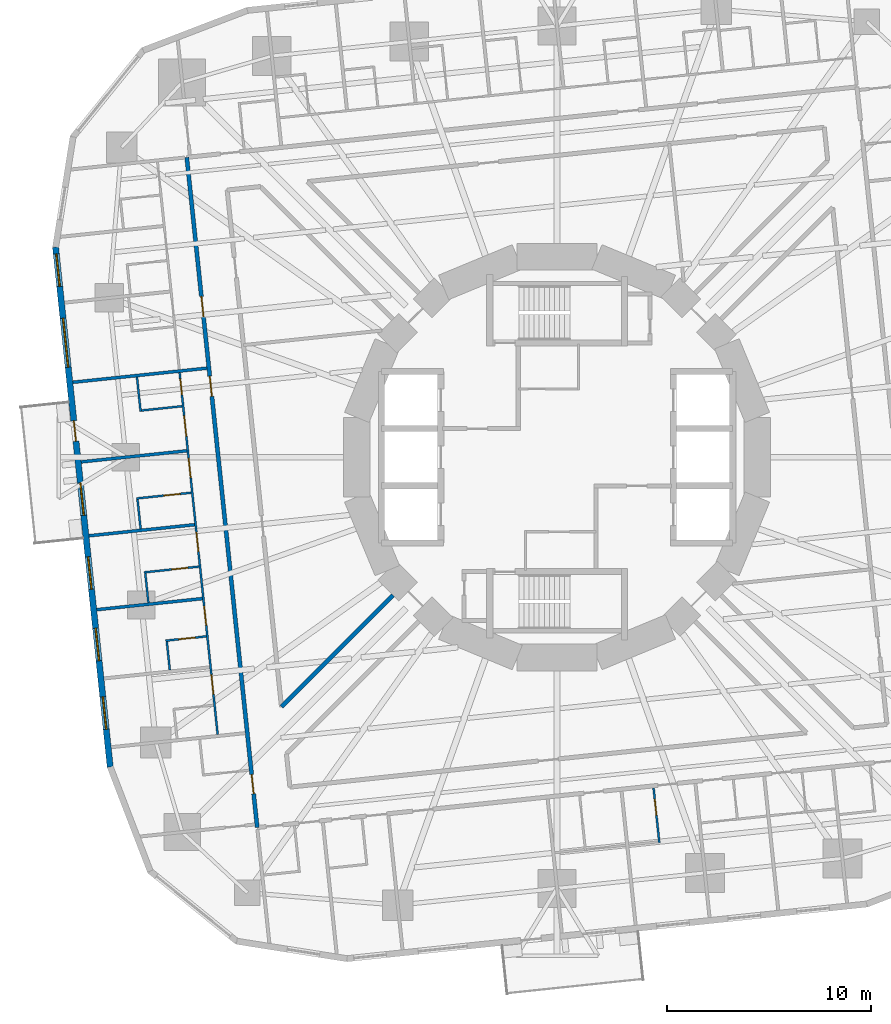
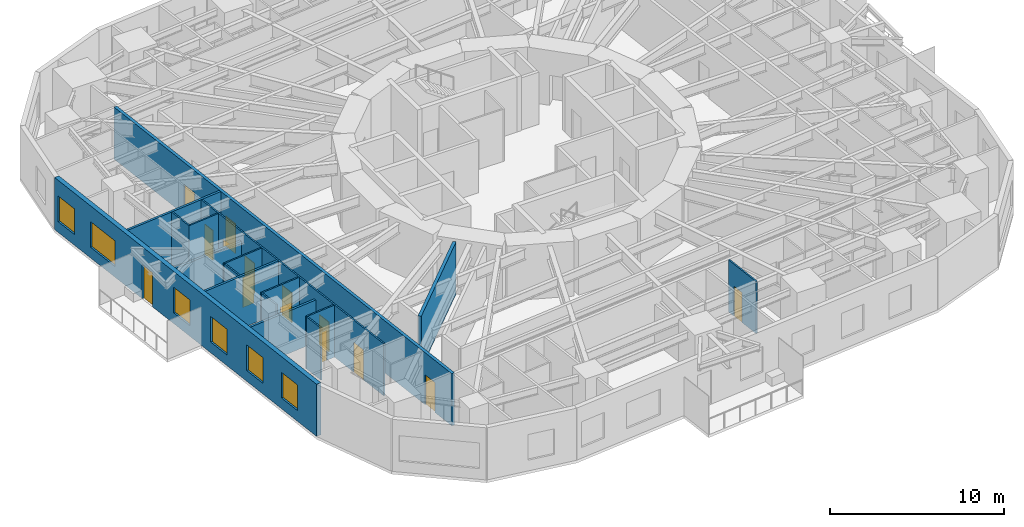
# One storey, part 6 of 15: 17 walls, 14 doors, 6 windows, 20 openings.
"""IFC4 building model written with IfcOpenShell, lengths in metres."""

from ifc_helpers import new_model, si_unit, direction, frame, frame_2d, origin, place, context, subcontext, project, spatial, rectangle, extrude, material, layer, layer_set, type_object, element, fill, save


model = new_model("IFC4")

# Units and contexts
model_context = context("Model", 3, precision=1e-05, world=origin(), true_north=direction((0.0, 1.0)))
body_context = subcontext(model_context, "Body", "Model", "MODEL_VIEW")
ifc_project = project(units=[si_unit("LENGTHUNIT", "METRE"), si_unit("AREAUNIT", "SQUARE_METRE"), si_unit("VOLUMEUNIT", "CUBIC_METRE"), si_unit("PLANEANGLEUNIT", "RADIAN"), si_unit("MASSUNIT", "GRAM", prefix="KILO")], contexts=[model_context])

# Site, building, storey
site_placement = place(None, origin())
site = spatial("IfcSite", under=ifc_project, at=site_placement, CompositionType="ELEMENT")
building_placement = place(site_placement, origin())
building = spatial("IfcBuilding", under=site, at=building_placement, Name="Nakasero Lantern House", CompositionType="ELEMENT")
storey_placement = place(building_placement, frame((0.0, 0.0, 72.050048828125)))
storey = spatial("IfcBuildingStorey", under=building, at=storey_placement, Name="L17", CompositionType="ELEMENT", Elevation=72.050048828125)

# Wall, openings, doors
ifc_material_1 = material(Name="Blockwork", Category="masonry")
ifc_layer_1 = layer(ifc_material_1, 0.10009765625)
ifc_layer_set_1 = layer_set([ifc_layer_1], Name="Cluster hall wall 100")
wall_type_1 = type_object("IfcWallType", Name="Cluster hall wall 100", PredefinedType="PARTITIONING", material=ifc_layer_set_1)
wall_1_placement = place(storey_placement, frame((-18.484375, 4.143798828125, 0.0), z_axis=(0.0, 0.0, 1.0), x_axis=(0.104524313484, -0.994522331519, 0.0)))
wall_1 = element("IfcWall", 1, at=wall_1_placement, inside=storey, type_object=wall_type_1, Name="Cluster hall wall L17 HW2-1", PredefinedType="PARTITIONING", context=body_context, shape_type="SweptSolid", body=[
    extrude(rectangle(XDim=17.8193359375, YDim=0.10009765625, at=frame_2d((8.90966796875, 0.0))), origin(), (0.0, 0.0, 1.0), 3.64990234375),
])
opening_1_placement = place(wall_1_placement, frame((2.125, 0.0, 0.0)))
opening_1 = element("IfcOpeningElement", 2, at=opening_1_placement, cuts=wall_1, Name="Opening D03", PredefinedType="OPENING", context=body_context, shape_type="SweptSolid", body=[
    extrude(rectangle(XDim=1.0, YDim=2.10009765625, at=frame_2d((0.5, 1.050048828125))), frame((0.0, 0.070068359375, 0.0), z_axis=(0.0, -1.0, 0.0), x_axis=(1.0, 0.0, 0.0)), (0.0, 0.0, 1.0), 0.14013671875),
])
opening_2_placement = place(wall_1_placement, frame((0.300048828125, 0.0, 0.0)))
opening_2 = element("IfcOpeningElement", 3, at=opening_2_placement, cuts=wall_1, Name="Opening D02", PredefinedType="OPENING", context=body_context, shape_type="SweptSolid", body=[
    extrude(rectangle(XDim=0.800048828125, YDim=2.10009765625, at=frame_2d((0.39990234375, 1.050048828125))), frame((0.0, 0.070068359375, 0.0), z_axis=(0.0, -1.0, 0.0), x_axis=(1.0, 0.0, 0.0)), (0.0, 0.0, 1.0), 0.14013671875),
])
opening_3_placement = place(wall_1_placement, frame((4.22119140625, 0.0, 0.0)))
opening_3 = element("IfcOpeningElement", 4, at=opening_3_placement, cuts=wall_1, Name="Opening D01", PredefinedType="OPENING", context=body_context, shape_type="SweptSolid", body=[
    extrude(rectangle(XDim=0.949951171875, YDim=2.10009765625, at=frame_2d((0.47509765625, 1.050048828125))), frame((0.0, 0.070068359375, 0.0), z_axis=(0.0, -1.0, 0.0), x_axis=(1.0, 0.0, 0.0)), (0.0, 0.0, 1.0), 0.14013671875),
])
opening_4_placement = place(wall_1_placement, frame((7.859619140625, 0.0, 0.0)))
opening_4 = element("IfcOpeningElement", 5, at=opening_4_placement, cuts=wall_1, Name="Opening D01", PredefinedType="OPENING", context=body_context, shape_type="SweptSolid", body=[
    extrude(rectangle(XDim=0.949951171875, YDim=2.10009765625, at=frame_2d((0.47509765625, 1.050048828125))), frame((0.0, 0.070068359375, 0.0), z_axis=(0.0, -1.0, 0.0), x_axis=(1.0, 0.0, 0.0)), (0.0, 0.0, 1.0), 0.14013671875),
])
opening_5_placement = place(wall_1_placement, frame((11.498291015625, 0.0, 0.0)))
opening_5 = element("IfcOpeningElement", 6, at=opening_5_placement, cuts=wall_1, Name="Opening D01", PredefinedType="OPENING", context=body_context, shape_type="SweptSolid", body=[
    extrude(rectangle(XDim=0.949951171875, YDim=2.10009765625, at=frame_2d((0.47509765625, 1.050048828125))), frame((0.0, 0.070068359375, 0.0), z_axis=(0.0, -1.0, 0.0), x_axis=(1.0, 0.0, 0.0)), (0.0, 0.0, 1.0), 0.14013671875),
])
opening_6_placement = place(wall_1_placement, frame((14.8837890625, 0.0, 0.0)))
opening_6 = element("IfcOpeningElement", 7, at=opening_6_placement, cuts=wall_1, Name="Opening D01", PredefinedType="OPENING", context=body_context, shape_type="SweptSolid", body=[
    extrude(rectangle(XDim=0.949951171875, YDim=2.10009765625, at=frame_2d((0.47509765625, 1.050048828125))), frame((0.0, 0.070068359375, 0.0), z_axis=(0.0, -1.0, 0.0), x_axis=(1.0, 0.0, 0.0)), (0.0, 0.0, 1.0), 0.14013671875),
])
ifc_material_2 = material(Name="Timber C24", Category="wood")
door_type_1 = type_object("IfcDoorType", Name="Bedroom door FD30S 950", OperationType="SINGLE_SWING_LEFT", PredefinedType="DOOR", material=ifc_material_2)
door_1_placement = place(opening_3_placement, origin())
door_1 = element("IfcDoor", 8, at=door_1_placement, inside=storey, type_object=door_type_1, Name="Door L17 D2-04", OperationType="SINGLE_SWING_LEFT", OverallHeight=2.10009765625, OverallWidth=0.949951171875, PredefinedType="DOOR", context=body_context, shape_type="SweptSolid", body=[
    extrude(rectangle(XDim=0.949951171875, YDim=2.10009765625, at=frame_2d((0.47509765625, 1.050048828125))), frame((0.0, 0.02490234375, 0.0), z_axis=(0.0, -1.0, 0.0), x_axis=(1.0, 0.0, 0.0)), (0.0, 0.0, 1.0), 0.050048828125),
])
fill(opening_3, door_1)
door_2_placement = place(opening_4_placement, origin())
door_2 = element("IfcDoor", 9, at=door_2_placement, inside=storey, type_object=door_type_1, Name="Door L17 D2-05", OperationType="SINGLE_SWING_LEFT", OverallHeight=2.10009765625, OverallWidth=0.949951171875, PredefinedType="DOOR", context=body_context, shape_type="SweptSolid", body=[
    extrude(rectangle(XDim=0.949951171875, YDim=2.10009765625, at=frame_2d((0.47509765625, 1.050048828125))), frame((0.0, 0.02490234375, 0.0), z_axis=(0.0, -1.0, 0.0), x_axis=(1.0, 0.0, 0.0)), (0.0, 0.0, 1.0), 0.050048828125),
])
fill(opening_4, door_2)
door_3_placement = place(opening_5_placement, origin())
door_3 = element("IfcDoor", 10, at=door_3_placement, inside=storey, type_object=door_type_1, Name="Door L17 D2-06", OperationType="SINGLE_SWING_RIGHT", OverallHeight=2.10009765625, OverallWidth=0.949951171875, PredefinedType="DOOR", context=body_context, shape_type="SweptSolid", body=[
    extrude(rectangle(XDim=0.949951171875, YDim=2.10009765625, at=frame_2d((0.47509765625, 1.050048828125))), frame((0.0, 0.02490234375, 0.0), z_axis=(0.0, -1.0, 0.0), x_axis=(1.0, 0.0, 0.0)), (0.0, 0.0, 1.0), 0.050048828125),
])
fill(opening_5, door_3)
door_4_placement = place(opening_6_placement, origin())
door_4 = element("IfcDoor", 11, at=door_4_placement, inside=storey, type_object=door_type_1, Name="Door L17 D2-07", OperationType="SINGLE_SWING_RIGHT", OverallHeight=2.10009765625, OverallWidth=0.949951171875, PredefinedType="DOOR", context=body_context, shape_type="SweptSolid", body=[
    extrude(rectangle(XDim=0.949951171875, YDim=2.10009765625, at=frame_2d((0.47509765625, 1.050048828125))), frame((0.0, 0.02490234375, 0.0), z_axis=(0.0, -1.0, 0.0), x_axis=(1.0, 0.0, 0.0)), (0.0, 0.0, 1.0), 0.050048828125),
])
fill(opening_6, door_4)
ifc_material_3 = material(Name="Timber C24", Category="wood")
door_type_2 = type_object("IfcDoorType", Name="En-suite door 800", OperationType="SINGLE_SWING_RIGHT", PredefinedType="DOOR", material=ifc_material_3)
door_5_placement = place(opening_2_placement, origin())
door_5 = element("IfcDoor", 12, at=door_5_placement, inside=storey, type_object=door_type_2, Name="Door L17 DSH2-1", OperationType="SINGLE_SWING_LEFT", OverallHeight=2.10009765625, OverallWidth=0.800048828125, PredefinedType="DOOR", context=body_context, shape_type="SweptSolid", body=[
    extrude(rectangle(XDim=0.800048828125, YDim=2.10009765625, at=frame_2d((0.39990234375, 1.050048828125))), frame((0.0, 0.02490234375, 0.0), z_axis=(0.0, -1.0, 0.0), x_axis=(1.0, 0.0, 0.0)), (0.0, 0.0, 1.0), 0.050048828125),
])
fill(opening_2, door_5)
ifc_material_4 = material(Name="Timber C24", Category="wood")
door_type_3 = type_object("IfcDoorType", Name="Lounge door FD30S 1000", OperationType="SINGLE_SWING_LEFT", PredefinedType="DOOR", material=ifc_material_4)
door_6_placement = place(opening_1_placement, origin())
door_6 = element("IfcDoor", 13, at=door_6_placement, inside=storey, type_object=door_type_3, Name="Door L17 DH2-1", OperationType="SINGLE_SWING_LEFT", OverallHeight=2.10009765625, OverallWidth=1.0, PredefinedType="DOOR", context=body_context, shape_type="SweptSolid", body=[
    extrude(rectangle(XDim=1.0, YDim=2.10009765625, at=frame_2d((0.5, 1.050048828125))), frame((0.0, 0.02490234375, 0.0), z_axis=(0.0, -1.0, 0.0), x_axis=(1.0, 0.0, 0.0)), (0.0, 0.0, 1.0), 0.050048828125),
])
fill(opening_1, door_6)

ifc_material_5 = material(Name="Blockwork", Category="masonry")
ifc_layer_2 = layer(ifc_material_5, 0.199951171875)
ifc_layer_set_2 = layer_set([ifc_layer_2], Name="Corridor wall 200")
wall_type_2 = type_object("IfcWallType", Name="Corridor wall 200", PredefinedType="PARTITIONING", material=ifc_layer_set_2)
wall_2_placement = place(storey_placement, frame((-18.13427734375, 14.684814453125, 0.0), z_axis=(0.0, 0.0, 1.0), x_axis=(0.10452958258, -0.994521777723, 0.0)))
wall_2 = element("IfcWall", 14, at=wall_2_placement, inside=storey, type_object=wall_type_2, Name="Corridor wall L17 CW2", PredefinedType="PARTITIONING", context=body_context, shape_type="SweptSolid", body=[
    extrude(rectangle(XDim=32.999755859375, YDim=0.199951171875, at=frame_2d((16.5, 0.0))), origin(), (0.0, 0.0, 1.0), 3.64990234375),
])
opening_7_placement = place(wall_2_placement, frame((6.8505859375, 0.0, 0.0)))
opening_7 = element("IfcOpeningElement", 15, at=opening_7_placement, cuts=wall_2, Name="Opening D14", PredefinedType="OPENING", context=body_context, shape_type="SweptSolid", body=[
    extrude(rectangle(XDim=1.0, YDim=2.10009765625, at=frame_2d((0.5, 1.050048828125))), frame((0.0, 0.119873046875, 0.0), z_axis=(0.0, -1.0, 0.0), x_axis=(1.0, 0.0, 0.0)), (0.0, 0.0, 1.0), 0.239990234375),
])
opening_8_placement = place(wall_2_placement, frame((10.771728515625, 0.0, 0.0)))
opening_8 = element("IfcOpeningElement", 16, at=opening_8_placement, cuts=wall_2, Name="Opening D14", PredefinedType="OPENING", context=body_context, shape_type="SweptSolid", body=[
    extrude(rectangle(XDim=1.0, YDim=2.10009765625, at=frame_2d((0.5, 1.050048828125))), frame((0.0, 0.119873046875, 0.0), z_axis=(0.0, -1.0, 0.0), x_axis=(1.0, 0.0, 0.0)), (0.0, 0.0, 1.0), 0.239990234375),
])
opening_9_placement = place(wall_2_placement, frame((30.39111328125, 0.0, 0.0)))
opening_9 = element("IfcOpeningElement", 17, at=opening_9_placement, cuts=wall_2, Name="Opening D01", PredefinedType="OPENING", context=body_context, shape_type="SweptSolid", body=[
    extrude(rectangle(XDim=0.949951171875, YDim=2.10009765625, at=frame_2d((0.47509765625, 1.050048828125))), frame((0.0, 0.119873046875, 0.0), z_axis=(0.0, -1.0, 0.0), x_axis=(1.0, 0.0, 0.0)), (0.0, 0.0, 1.0), 0.239990234375),
])
door_7_placement = place(opening_9_placement, origin())
door_7 = element("IfcDoor", 18, at=door_7_placement, inside=storey, type_object=door_type_1, Name="Door L17 D2-08", OperationType="SINGLE_SWING_RIGHT", OverallHeight=2.10009765625, OverallWidth=0.949951171875, PredefinedType="DOOR", context=body_context, shape_type="SweptSolid", body=[
    extrude(rectangle(XDim=0.949951171875, YDim=2.10009765625, at=frame_2d((0.47509765625, 1.050048828125))), frame((0.0, 0.02490234375, 0.0), z_axis=(0.0, -1.0, 0.0), x_axis=(1.0, 0.0, 0.0)), (0.0, 0.0, 1.0), 0.050048828125),
])
fill(opening_9, door_7)
ifc_material_6 = material(Name="Timber C24", Category="wood")
door_type_4 = type_object("IfcDoorType", Name="Cluster entrance door FD30S 1000", OperationType="SINGLE_SWING_LEFT", PredefinedType="DOOR", material=ifc_material_6)
door_8_placement = place(opening_7_placement, origin())
door_8 = element("IfcDoor", 19, at=door_8_placement, inside=storey, type_object=door_type_4, Name="Door L17 DF2-0", OperationType="SINGLE_SWING_LEFT", OverallHeight=2.10009765625, OverallWidth=1.0, PredefinedType="DOOR", context=body_context, shape_type="SweptSolid", body=[
    extrude(rectangle(XDim=1.0, YDim=2.10009765625, at=frame_2d((0.5, 1.050048828125))), frame((0.0, 0.02490234375, 0.0), z_axis=(0.0, -1.0, 0.0), x_axis=(1.0, 0.0, 0.0)), (0.0, 0.0, 1.0), 0.050048828125),
])
fill(opening_7, door_8)
door_9_placement = place(opening_8_placement, origin())
door_9 = element("IfcDoor", 20, at=door_9_placement, inside=storey, type_object=door_type_4, Name="Door L17 DF2-1", OperationType="SINGLE_SWING_LEFT", OverallHeight=2.10009765625, OverallWidth=1.0, PredefinedType="DOOR", context=body_context, shape_type="SweptSolid", body=[
    extrude(rectangle(XDim=1.0, YDim=2.10009765625, at=frame_2d((0.5, 1.050048828125))), frame((0.0, 0.02490234375, 0.0), z_axis=(0.0, -1.0, 0.0), x_axis=(1.0, 0.0, 0.0)), (0.0, 0.0, 1.0), 0.050048828125),
])
fill(opening_8, door_9)

# Walls
wall_3_placement = place(storey_placement, frame((-8.03125, -6.758544921875, 0.0), z_axis=(0.0, 0.0, 1.0), x_axis=(-0.707122575573, -0.707090986447, 0.0)))
element("IfcWall", 21, at=wall_3_placement, inside=storey, type_object=wall_type_2, Name="Corridor wall L17 PS10b", PredefinedType="PARTITIONING", context=body_context, shape_type="SweptSolid", body=[
    extrude(rectangle(XDim=7.728515625, YDim=0.199951171875, at=frame_2d((3.8642578125, 0.0))), origin(), (0.0, 0.0, 1.0), 3.64990234375),
])
ifc_material_7 = material(Name="Blockwork", Category="masonry")
ifc_layer_3 = layer(ifc_material_7, 0.10009765625)
ifc_layer_set_3 = layer_set([ifc_layer_3], Name="En-suite wall 100")
wall_type_3 = type_object("IfcWallType", Name="En-suite wall 100", PredefinedType="PARTITIONING", material=ifc_layer_set_3)
wall_4_placement = place(storey_placement, frame((-18.361572265625, 2.49755859375, 0.0), z_axis=(0.0, 0.0, 1.0), x_axis=(-0.994523910136, -0.104509292252, 0.0)))
element("IfcWall", 22, at=wall_4_placement, inside=storey, type_object=wall_type_3, Name="En-suite wall L17 SS2-1", PredefinedType="PARTITIONING", context=body_context, shape_type="SweptSolid", body=[
    extrude(rectangle(XDim=2.10009765625, YDim=0.10009765625, at=frame_2d((1.050048828125, 0.0))), origin(), (0.0, 0.0, 1.0), 3.64990234375),
])
wall_5_placement = place(storey_placement, frame((-20.572998046875, 3.92431640625, 0.0), z_axis=(0.0, 0.0, 1.0), x_axis=(0.104550220202, -0.994519608382, 0.0)))
element("IfcWall", 23, at=wall_5_placement, inside=storey, type_object=wall_type_3, Name="En-suite wall L17 SE2-1", PredefinedType="PARTITIONING", context=body_context, shape_type="SweptSolid", body=[
    extrude(rectangle(XDim=1.699951171875, YDim=0.10009765625, at=frame_2d((0.85009765625, 0.0))), origin(), (0.0, 0.0, 1.0), 3.64990234375),
])

# Wall, opening, door
wall_6_placement = place(storey_placement, frame((-17.91650390625, -1.73876953125, 0.0), z_axis=(0.0, 0.0, 1.0), x_axis=(-0.994521297289, -0.104534153452, 0.0)))
wall_6 = element("IfcWall", 24, at=wall_6_placement, inside=storey, type_object=wall_type_3, Name="En-suite wall L17 ES2-04", PredefinedType="PARTITIONING", context=body_context, shape_type="SweptSolid", body=[
    extrude(rectangle(XDim=2.699951171875, YDim=0.10009765625, at=frame_2d((1.35009765625, 0.0))), origin(), (0.0, 0.0, 1.0), 3.64990234375),
])
opening_10_placement = place(wall_6_placement, frame((0.550048828125, 0.0, 0.0)))
opening_10 = element("IfcOpeningElement", 25, at=opening_10_placement, cuts=wall_6, Name="Opening D02", PredefinedType="OPENING", context=body_context, shape_type="SweptSolid", body=[
    extrude(rectangle(XDim=0.800048828125, YDim=2.10009765625, at=frame_2d((0.39990234375, 1.050048828125))), frame((0.0, 0.070068359375, 0.0), z_axis=(0.0, -1.0, 0.0), x_axis=(1.0, 0.0, 0.0)), (0.0, 0.0, 1.0), 0.14013671875),
])
door_10_placement = place(opening_10_placement, origin())
door_10 = element("IfcDoor", 26, at=door_10_placement, inside=storey, type_object=door_type_2, Name="Door L17 DE2-04", OperationType="SINGLE_SWING_LEFT", OverallHeight=2.10009765625, OverallWidth=0.800048828125, PredefinedType="DOOR", context=body_context, shape_type="SweptSolid", body=[
    extrude(rectangle(XDim=0.800048828125, YDim=2.10009765625, at=frame_2d((0.39990234375, 1.050048828125))), frame((0.0, 0.02490234375, 0.0), z_axis=(0.0, -1.0, 0.0), x_axis=(1.0, 0.0, 0.0)), (0.0, 0.0, 1.0), 0.050048828125),
])
fill(opening_10, door_10)

# Wall
wall_7_placement = place(storey_placement, frame((-20.546630859375, -2.0654296875, 0.0), z_axis=(0.0, 0.0, 1.0), x_axis=(0.10455332221, -0.994519282274, 0.0)))
element("IfcWall", 27, at=wall_7_placement, inside=storey, type_object=wall_type_3, Name="En-suite wall L17 EE2-04", PredefinedType="PARTITIONING", context=body_context, shape_type="SweptSolid", body=[
    extrude(rectangle(XDim=1.4501953125, YDim=0.10009765625, at=frame_2d((0.72509765625, 0.0))), origin(), (0.0, 0.0, 1.0), 3.64990234375),
])

# Wall, opening, door
wall_8_placement = place(storey_placement, frame((-17.5361328125, -5.357421875, 0.0), z_axis=(0.0, 0.0, 1.0), x_axis=(-0.994521297289, -0.104534153452, 0.0)))
wall_8 = element("IfcWall", 28, at=wall_8_placement, inside=storey, type_object=wall_type_3, Name="En-suite wall L17 ES2-05", PredefinedType="PARTITIONING", context=body_context, shape_type="SweptSolid", body=[
    extrude(rectangle(XDim=2.699951171875, YDim=0.10009765625, at=frame_2d((1.35009765625, 0.0))), origin(), (0.0, 0.0, 1.0), 3.64990234375),
])
opening_11_placement = place(wall_8_placement, frame((0.550048828125, 0.0, 0.0)))
opening_11 = element("IfcOpeningElement", 29, at=opening_11_placement, cuts=wall_8, Name="Opening D02", PredefinedType="OPENING", context=body_context, shape_type="SweptSolid", body=[
    extrude(rectangle(XDim=0.800048828125, YDim=2.10009765625, at=frame_2d((0.39990234375, 1.050048828125))), frame((0.0, 0.070068359375, 0.0), z_axis=(0.0, -1.0, 0.0), x_axis=(1.0, 0.0, 0.0)), (0.0, 0.0, 1.0), 0.14013671875),
])
door_11_placement = place(opening_11_placement, origin())
door_11 = element("IfcDoor", 30, at=door_11_placement, inside=storey, type_object=door_type_2, Name="Door L17 DE2-05", OperationType="SINGLE_SWING_LEFT", OverallHeight=2.10009765625, OverallWidth=0.800048828125, PredefinedType="DOOR", context=body_context, shape_type="SweptSolid", body=[
    extrude(rectangle(XDim=0.800048828125, YDim=2.10009765625, at=frame_2d((0.39990234375, 1.050048828125))), frame((0.0, 0.02490234375, 0.0), z_axis=(0.0, -1.0, 0.0), x_axis=(1.0, 0.0, 0.0)), (0.0, 0.0, 1.0), 0.050048828125),
])
fill(opening_11, door_11)

# Wall
wall_9_placement = place(storey_placement, frame((-20.166259765625, -5.68408203125, 0.0), z_axis=(0.0, 0.0, 1.0), x_axis=(0.10455332221, -0.994519282274, 0.0)))
element("IfcWall", 31, at=wall_9_placement, inside=storey, type_object=wall_type_3, Name="En-suite wall L17 EE2-05", PredefinedType="PARTITIONING", context=body_context, shape_type="SweptSolid", body=[
    extrude(rectangle(XDim=1.4501953125, YDim=0.10009765625, at=frame_2d((0.72509765625, 0.0))), origin(), (0.0, 0.0, 1.0), 3.64990234375),
])

# Wall, opening, door
wall_10_placement = place(storey_placement, frame((-17.177001953125, -8.774169921875, 0.0), z_axis=(0.0, 0.0, 1.0), x_axis=(-0.99452550138, -0.104494148666, 0.0)))
wall_10 = element("IfcWall", 32, at=wall_10_placement, inside=storey, type_object=wall_type_3, Name="En-suite wall L17 ES2-06", PredefinedType="PARTITIONING", context=body_context, shape_type="SweptSolid", body=[
    extrude(rectangle(XDim=2.0, YDim=0.10009765625, at=frame_2d((1.0, 0.0))), origin(), (0.0, 0.0, 1.0), 3.64990234375),
])
opening_12_placement = place(wall_10_placement, frame((0.550048828125, 0.0, 0.0)))
opening_12 = element("IfcOpeningElement", 33, at=opening_12_placement, cuts=wall_10, Name="Opening D02", PredefinedType="OPENING", context=body_context, shape_type="SweptSolid", body=[
    extrude(rectangle(XDim=0.800048828125, YDim=2.10009765625, at=frame_2d((0.39990234375, 1.050048828125))), frame((0.0, 0.070068359375, 0.0), z_axis=(0.0, -1.0, 0.0), x_axis=(1.0, 0.0, 0.0)), (0.0, 0.0, 1.0), 0.14013671875),
])
door_12_placement = place(opening_12_placement, origin())
door_12 = element("IfcDoor", 34, at=door_12_placement, inside=storey, type_object=door_type_2, Name="Door L17 DE2-06", OperationType="SINGLE_SWING_LEFT", OverallHeight=2.10009765625, OverallWidth=0.800048828125, PredefinedType="DOOR", context=body_context, shape_type="SweptSolid", body=[
    extrude(rectangle(XDim=0.800048828125, YDim=2.10009765625, at=frame_2d((0.39990234375, 1.050048828125))), frame((0.0, 0.02490234375, 0.0), z_axis=(0.0, -1.0, 0.0), x_axis=(1.0, 0.0, 0.0)), (0.0, 0.0, 1.0), 0.050048828125),
])
fill(opening_12, door_12)

# Wall
wall_11_placement = place(storey_placement, frame((-19.111083984375, -9.027587890625, 0.0), z_axis=(0.0, 0.0, 1.0), x_axis=(0.104630319263, -0.994511184598, 0.0)))
element("IfcWall", 35, at=wall_11_placement, inside=storey, type_object=wall_type_3, Name="En-suite wall L17 EE2-06", PredefinedType="PARTITIONING", context=body_context, shape_type="SweptSolid", body=[
    extrude(rectangle(XDim=1.39990234375, YDim=0.10009765625, at=frame_2d((0.699951171875, 0.0))), origin(), (0.0, 0.0, 1.0), 3.64990234375),
])

# Wall, opening, door
wall_12_placement = place(storey_placement, frame((4.72509765625, -16.19482421875, 0.0), z_axis=(0.0, 0.0, 1.0), x_axis=(0.104524753323, -0.994522285292, 0.0)))
wall_12 = element("IfcWall", 36, at=wall_12_placement, inside=storey, type_object=wall_type_3, Name="En-suite wall L17 ES3-05", PredefinedType="PARTITIONING", context=body_context, shape_type="SweptSolid", body=[
    extrude(rectangle(XDim=2.7001953125, YDim=0.10009765625, at=frame_2d((1.35009765625, 0.0))), origin(), (0.0, 0.0, 1.0), 3.64990234375),
])
opening_13_placement = place(wall_12_placement, frame((0.550048828125, 0.0, 0.0)))
opening_13 = element("IfcOpeningElement", 37, at=opening_13_placement, cuts=wall_12, Name="Opening D02", PredefinedType="OPENING", context=body_context, shape_type="SweptSolid", body=[
    extrude(rectangle(XDim=0.800048828125, YDim=2.10009765625, at=frame_2d((0.39990234375, 1.050048828125))), frame((0.0, 0.070068359375, 0.0), z_axis=(0.0, -1.0, 0.0), x_axis=(1.0, 0.0, 0.0)), (0.0, 0.0, 1.0), 0.14013671875),
])
door_13_placement = place(opening_13_placement, origin())
door_13 = element("IfcDoor", 38, at=door_13_placement, inside=storey, type_object=door_type_2, Name="Door L17 DE3-05", OperationType="SINGLE_SWING_LEFT", OverallHeight=2.10009765625, OverallWidth=0.800048828125, PredefinedType="DOOR", context=body_context, shape_type="SweptSolid", body=[
    extrude(rectangle(XDim=0.800048828125, YDim=2.10009765625, at=frame_2d((0.39990234375, 1.050048828125))), frame((0.0, 0.02490234375, 0.0), z_axis=(0.0, -1.0, 0.0), x_axis=(1.0, 0.0, 0.0)), (0.0, 0.0, 1.0), 0.050048828125),
])
fill(opening_13, door_13)

# Wall, openings, door, windows
ifc_material_8 = material(Name="Aluminium rainscreen on blockwork", Category="masonry")
ifc_layer_4 = layer(ifc_material_8, 0.300048828125)
ifc_layer_set_4 = layer_set([ifc_layer_4], Name="Facade wall 300")
wall_type_4 = type_object("IfcWallType", Name="Facade wall 300", PredefinedType="SOLIDWALL", material=ifc_layer_set_4)
wall_13_placement = place(storey_placement, frame((-24.56005859375, 10.2890625, 0.0), z_axis=(0.0, 0.0, 1.0), x_axis=(0.104532378096, -0.994521483895, 0.0)))
wall_13 = element("IfcWall", 39, at=wall_13_placement, inside=storey, type_object=wall_type_4, Name="Facade wall L17 FW2S", PredefinedType="SOLIDWALL", context=body_context, shape_type="SweptSolid", body=[
    extrude(rectangle(XDim=25.599853515625, YDim=0.300048828125, at=frame_2d((12.7998046875, 0.0))), origin(), (0.0, 0.0, 1.0), 3.64990234375),
])
opening_14_placement = place(wall_13_placement, frame((0.337890625, 0.0, 0.75)))
opening_14 = element("IfcOpeningElement", 40, at=opening_14_placement, cuts=wall_13, Name="Opening W01", PredefinedType="OPENING", context=body_context, shape_type="SweptSolid", body=[
    extrude(rectangle(XDim=1.60009765625, YDim=1.800048828125, at=frame_2d((0.800048828125, 0.89990234375))), frame((0.0, 0.169921875, 0.0), z_axis=(0.0, -1.0, 0.0), x_axis=(1.0, 0.0, 0.0)), (0.0, 0.0, 1.0), 0.340087890625),
])
opening_15_placement = place(wall_13_placement, frame((11.612060546875, 0.0, 0.75)))
opening_15 = element("IfcOpeningElement", 41, at=opening_15_placement, cuts=wall_13, Name="Opening W01", PredefinedType="OPENING", context=body_context, shape_type="SweptSolid", body=[
    extrude(rectangle(XDim=1.60009765625, YDim=1.800048828125, at=frame_2d((0.800048828125, 0.89990234375))), frame((0.0, 0.169921875, 0.0), z_axis=(0.0, -1.0, 0.0), x_axis=(1.0, 0.0, 0.0)), (0.0, 0.0, 1.0), 0.340087890625),
])
opening_16_placement = place(wall_13_placement, frame((15.250732421875, 0.0, 0.75)))
opening_16 = element("IfcOpeningElement", 42, at=opening_16_placement, cuts=wall_13, Name="Opening W01", PredefinedType="OPENING", context=body_context, shape_type="SweptSolid", body=[
    extrude(rectangle(XDim=1.60009765625, YDim=1.800048828125, at=frame_2d((0.800048828125, 0.89990234375))), frame((0.0, 0.169921875, 0.0), z_axis=(0.0, -1.0, 0.0), x_axis=(1.0, 0.0, 0.0)), (0.0, 0.0, 1.0), 0.340087890625),
])
opening_17_placement = place(wall_13_placement, frame((18.7626953125, 0.0, 0.75)))
opening_17 = element("IfcOpeningElement", 43, at=opening_17_placement, cuts=wall_13, Name="Opening W01", PredefinedType="OPENING", context=body_context, shape_type="SweptSolid", body=[
    extrude(rectangle(XDim=1.60009765625, YDim=1.800048828125, at=frame_2d((0.800048828125, 0.89990234375))), frame((0.0, 0.169921875, 0.0), z_axis=(0.0, -1.0, 0.0), x_axis=(1.0, 0.0, 0.0)), (0.0, 0.0, 1.0), 0.340087890625),
])
opening_18_placement = place(wall_13_placement, frame((22.1484375, 0.0, 0.75)))
opening_18 = element("IfcOpeningElement", 44, at=opening_18_placement, cuts=wall_13, Name="Opening W01", PredefinedType="OPENING", context=body_context, shape_type="SweptSolid", body=[
    extrude(rectangle(XDim=1.60009765625, YDim=1.800048828125, at=frame_2d((0.800048828125, 0.89990234375))), frame((0.0, 0.169921875, 0.0), z_axis=(0.0, -1.0, 0.0), x_axis=(1.0, 0.0, 0.0)), (0.0, 0.0, 1.0), 0.340087890625),
])
opening_19_placement = place(wall_13_placement, frame((3.51123046875, 0.0, 0.75)))
opening_19 = element("IfcOpeningElement", 45, at=opening_19_placement, cuts=wall_13, Name="Opening W03", PredefinedType="OPENING", context=body_context, shape_type="SweptSolid", body=[
    extrude(rectangle(XDim=2.39990234375, YDim=1.800048828125, at=frame_2d((1.199951171875, 0.89990234375))), frame((0.0, 0.169921875, 0.0), z_axis=(0.0, -1.0, 0.0), x_axis=(1.0, 0.0, 0.0)), (0.0, 0.0, 1.0), 0.340087890625),
])
opening_20_placement = place(wall_13_placement, frame((8.558837890625, 0.0, 0.0)))
opening_20 = element("IfcOpeningElement", 46, at=opening_20_placement, cuts=wall_13, Name="Opening D04", PredefinedType="OPENING", context=body_context, shape_type="SweptSolid", body=[
    extrude(rectangle(XDim=1.0, YDim=2.39990234375, at=frame_2d((0.5, 1.199951171875))), frame((0.0, 0.169921875, 0.0), z_axis=(0.0, -1.0, 0.0), x_axis=(1.0, 0.0, 0.0)), (0.0, 0.0, 1.0), 0.340087890625),
])
ifc_material_9 = material(Name="Aluminium 6063-T6 and glass", Category="aluminium")
door_type_5 = type_object("IfcDoorType", Name="Balcony door 1000x2400", OperationType="SINGLE_SWING_RIGHT", PredefinedType="DOOR", material=ifc_material_9)
door_14_placement = place(opening_20_placement, origin())
door_14 = element("IfcDoor", 47, at=door_14_placement, inside=storey, type_object=door_type_5, Name="Balcony door L17 DB2", OperationType="SINGLE_SWING_RIGHT", OverallHeight=2.39990234375, OverallWidth=1.0, PredefinedType="DOOR", context=body_context, shape_type="SweptSolid", body=[
    extrude(rectangle(XDim=1.0, YDim=2.39990234375, at=frame_2d((0.5, 1.199951171875))), frame((0.0, 0.02490234375, 0.0), z_axis=(0.0, -1.0, 0.0), x_axis=(1.0, 0.0, 0.0)), (0.0, 0.0, 1.0), 0.050048828125),
])
fill(opening_20, door_14)
ifc_material_10 = material(Name="Aluminium 6063-T6 and glass", Category="aluminium")
window_type_1 = type_object("IfcWindowType", Name="Bedroom window 1600x1800", PartitioningType="SINGLE_PANEL", PredefinedType="WINDOW", material=ifc_material_10)
window_1_placement = place(opening_14_placement, origin())
window_1 = element("IfcWindow", 48, at=window_1_placement, inside=storey, type_object=window_type_1, Name="Window L17 WN2-01", OverallHeight=1.800048828125, OverallWidth=1.60009765625, PartitioningType="SINGLE_PANEL", PredefinedType="WINDOW", context=body_context, shape_type="SweptSolid", body=[
    extrude(rectangle(XDim=1.60009765625, YDim=1.800048828125, at=frame_2d((0.800048828125, 0.89990234375))), frame((0.0, 0.030029296875, 0.0), z_axis=(0.0, -1.0, 0.0), x_axis=(1.0, 0.0, 0.0)), (0.0, 0.0, 1.0), 0.06005859375),
])
fill(opening_14, window_1)
window_2_placement = place(opening_15_placement, origin())
window_2 = element("IfcWindow", 49, at=window_2_placement, inside=storey, type_object=window_type_1, Name="Window L17 WN2-04", OverallHeight=1.800048828125, OverallWidth=1.60009765625, PartitioningType="SINGLE_PANEL", PredefinedType="WINDOW", context=body_context, shape_type="SweptSolid", body=[
    extrude(rectangle(XDim=1.60009765625, YDim=1.800048828125, at=frame_2d((0.800048828125, 0.89990234375))), frame((0.0, 0.030029296875, 0.0), z_axis=(0.0, -1.0, 0.0), x_axis=(1.0, 0.0, 0.0)), (0.0, 0.0, 1.0), 0.06005859375),
])
fill(opening_15, window_2)
window_3_placement = place(opening_16_placement, origin())
window_3 = element("IfcWindow", 50, at=window_3_placement, inside=storey, type_object=window_type_1, Name="Window L17 WN2-05", OverallHeight=1.800048828125, OverallWidth=1.60009765625, PartitioningType="SINGLE_PANEL", PredefinedType="WINDOW", context=body_context, shape_type="SweptSolid", body=[
    extrude(rectangle(XDim=1.60009765625, YDim=1.800048828125, at=frame_2d((0.800048828125, 0.89990234375))), frame((0.0, 0.030029296875, 0.0), z_axis=(0.0, -1.0, 0.0), x_axis=(1.0, 0.0, 0.0)), (0.0, 0.0, 1.0), 0.06005859375),
])
fill(opening_16, window_3)
window_4_placement = place(opening_17_placement, origin())
window_4 = element("IfcWindow", 51, at=window_4_placement, inside=storey, type_object=window_type_1, Name="Window L17 WN2-06", OverallHeight=1.800048828125, OverallWidth=1.60009765625, PartitioningType="SINGLE_PANEL", PredefinedType="WINDOW", context=body_context, shape_type="SweptSolid", body=[
    extrude(rectangle(XDim=1.60009765625, YDim=1.800048828125, at=frame_2d((0.800048828125, 0.89990234375))), frame((0.0, 0.030029296875, 0.0), z_axis=(0.0, -1.0, 0.0), x_axis=(1.0, 0.0, 0.0)), (0.0, 0.0, 1.0), 0.06005859375),
])
fill(opening_17, window_4)
window_5_placement = place(opening_18_placement, origin())
window_5 = element("IfcWindow", 52, at=window_5_placement, inside=storey, type_object=window_type_1, Name="Window L17 WN2-07", OverallHeight=1.800048828125, OverallWidth=1.60009765625, PartitioningType="SINGLE_PANEL", PredefinedType="WINDOW", context=body_context, shape_type="SweptSolid", body=[
    extrude(rectangle(XDim=1.60009765625, YDim=1.800048828125, at=frame_2d((0.800048828125, 0.89990234375))), frame((0.0, 0.030029296875, 0.0), z_axis=(0.0, -1.0, 0.0), x_axis=(1.0, 0.0, 0.0)), (0.0, 0.0, 1.0), 0.06005859375),
])
fill(opening_18, window_5)
ifc_material_11 = material(Name="Aluminium 6063-T6 and glass", Category="aluminium")
window_type_2 = type_object("IfcWindowType", Name="Lounge window 2400x1800", PartitioningType="SINGLE_PANEL", PredefinedType="WINDOW", material=ifc_material_11)
window_6_placement = place(opening_19_placement, origin())
window_6 = element("IfcWindow", 53, at=window_6_placement, inside=storey, type_object=window_type_2, Name="Window L17 WK2", OverallHeight=1.800048828125, OverallWidth=2.39990234375, PartitioningType="SINGLE_PANEL", PredefinedType="WINDOW", context=body_context, shape_type="SweptSolid", body=[
    extrude(rectangle(XDim=2.39990234375, YDim=1.800048828125, at=frame_2d((1.199951171875, 0.89990234375))), frame((0.0, 0.030029296875, 0.0), z_axis=(0.0, -1.0, 0.0), x_axis=(1.0, 0.0, 0.0)), (0.0, 0.0, 1.0), 0.06005859375),
])
fill(opening_19, window_6)

# Walls
ifc_material_12 = material(Name="Blockwork", Category="masonry")
ifc_layer_5 = layer(ifc_material_12, 0.14990234375)
ifc_layer_set_5 = layer_set([ifc_layer_5], Name="Party wall 150")
wall_type_5 = type_object("IfcWallType", Name="Party wall 150", PredefinedType="PARTITIONING", material=ifc_layer_set_5)
wall_14_placement = place(storey_placement, frame((-17.149658203125, 4.359619140625, 0.0), z_axis=(0.0, 0.0, 1.0), x_axis=(-0.994520846901, -0.104538438287, 0.0)))
element("IfcWall", 54, at=wall_14_placement, inside=storey, type_object=wall_type_5, Name="Party wall L17 PW2-03", PredefinedType="PARTITIONING", context=body_context, shape_type="SweptSolid", body=[
    extrude(rectangle(XDim=6.599853515625, YDim=0.14990234375, at=frame_2d((3.2998046875, 0.0))), origin(), (0.0, 0.0, 1.0), 3.64990234375),
])
wall_15_placement = place(storey_placement, frame((-18.132080078125, 0.3134765625, 0.0), z_axis=(0.0, 0.0, 1.0), x_axis=(-0.994523959761, -0.104508820017, 0.0)))
element("IfcWall", 55, at=wall_15_placement, inside=storey, type_object=wall_type_5, Name="Party wall L17 PW2-04", PredefinedType="PARTITIONING", context=body_context, shape_type="SweptSolid", body=[
    extrude(rectangle(XDim=5.2001953125, YDim=0.14990234375, at=frame_2d((2.60009765625, 0.0))), origin(), (0.0, 0.0, 1.0), 2.966552734375),
])
wall_16_placement = place(storey_placement, frame((-17.751708984375, -3.30517578125, 0.0), z_axis=(0.0, 0.0, 1.0), x_axis=(-0.994523959761, -0.104508820017, 0.0)))
element("IfcWall", 56, at=wall_16_placement, inside=storey, type_object=wall_type_5, Name="Party wall L17 PW2-05", PredefinedType="PARTITIONING", context=body_context, shape_type="SweptSolid", body=[
    extrude(rectangle(XDim=5.2001953125, YDim=0.14990234375, at=frame_2d((2.60009765625, 0.0))), origin(), (0.0, 0.0, 1.0), 3.64990234375),
])
wall_17_placement = place(storey_placement, frame((-17.371337890625, -6.923828125, 0.0), z_axis=(0.0, 0.0, 1.0), x_axis=(-0.994523959761, -0.104508820017, 0.0)))
element("IfcWall", 57, at=wall_17_placement, inside=storey, type_object=wall_type_5, Name="Party wall L17 PW2-06", PredefinedType="PARTITIONING", context=body_context, shape_type="SweptSolid", body=[
    extrude(rectangle(XDim=5.2001953125, YDim=0.14990234375, at=frame_2d((2.60009765625, 0.0))), origin(), (0.0, 0.0, 1.0), 2.966552734375),
])

save(model, "model.ifc")
